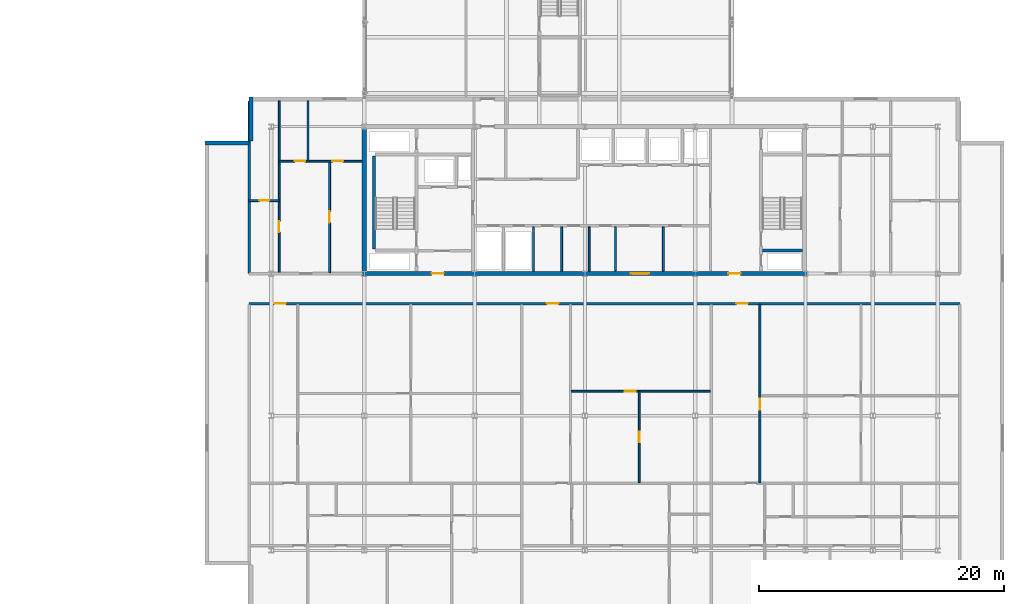
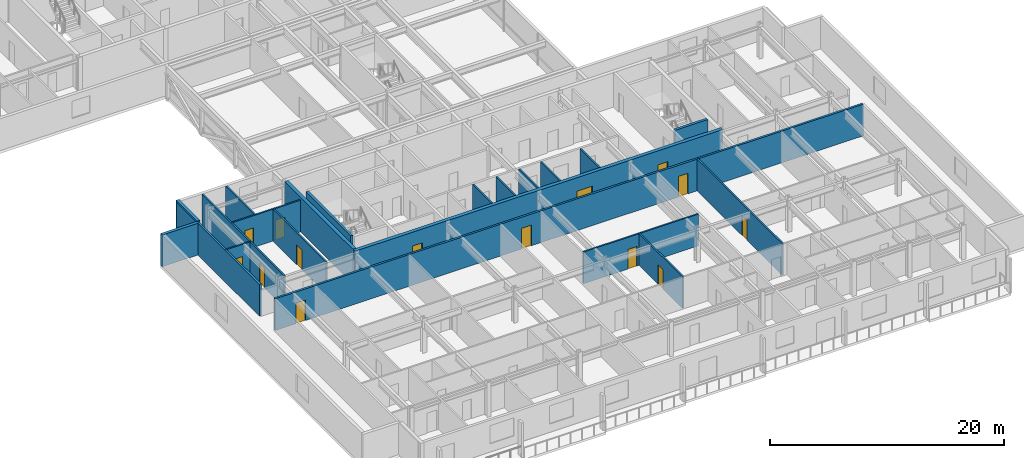
# One storey, part 19 of 36: 21 walls, 14 doors, 14 openings.
"""IFC4 building model written with IfcOpenShell, lengths in metres."""

from ifc_helpers import new_model, si_unit, direction, frame, frame_2d, origin, place, context, subcontext, project, spatial, rectangle, extrude, material, layer, layer_set, type_object, element, fill, save


model = new_model("IFC4")

# Units and contexts
model_context = context("Model", 3, precision=1e-05, world=origin(), true_north=direction((0.0, 1.0)))
body_context = subcontext(model_context, "Body", "Model", "MODEL_VIEW")
ifc_project = project(units=[si_unit("LENGTHUNIT", "METRE"), si_unit("AREAUNIT", "SQUARE_METRE"), si_unit("VOLUMEUNIT", "CUBIC_METRE"), si_unit("PLANEANGLEUNIT", "RADIAN"), si_unit("MASSUNIT", "GRAM", prefix="KILO")], contexts=[model_context])

# Site, building, storey
site_placement = place(None, origin())
site = spatial("IfcSite", under=ifc_project, at=site_placement, CompositionType="ELEMENT")
building_placement = place(site_placement, origin())
building = spatial("IfcBuilding", under=site, at=building_placement, Name="Korimba Cascade Residences", CompositionType="ELEMENT")
storey_placement = place(building_placement, frame((0.0, 0.0, 146.5)))
storey = spatial("IfcBuildingStorey", under=building, at=storey_placement, Name="L42", CompositionType="ELEMENT", Elevation=146.5)

# Walls
ifc_material_1 = material(Name="Precast concrete C40/50", Category="concrete")
ifc_layer_1 = layer(ifc_material_1, 0.300048828125)
ifc_layer_set_1 = layer_set([ifc_layer_1], Name="Precast concrete C40/50")
wall_type_1 = type_object("IfcWallType", Name="EW-STONE-300", PredefinedType="STANDARD", material=ifc_layer_set_1)
wall_1_placement = place(storey_placement, frame((72.85009765625, 32.800048828125, 0.0), z_axis=(0.0, 0.0, 1.0), x_axis=(0.0, -1.0, 0.0)))
element("IfcWall", 1, at=wall_1_placement, inside=storey, type_object=wall_type_1, Name="L42 T2 Perimeter Stone Wall E07", PredefinedType="STANDARD", context=body_context, shape_type="SweptSolid", body=[
    extrude(rectangle(XDim=3.60009765625, YDim=0.300048828125, at=frame_2d((1.800048828125, 0.0))), origin(), (0.0, 0.0, 1.0), 3.31005859375),
])
wall_2_placement = place(storey_placement, frame((72.699951171875, 29.050048828125, 0.0), z_axis=(0.0, 0.0, 1.0), x_axis=(-1.0, 0.0, 0.0)))
element("IfcWall", 2, at=wall_2_placement, inside=storey, type_object=wall_type_1, Name="L42 T2 Perimeter Stone Wall E08", PredefinedType="STANDARD", context=body_context, shape_type="SweptSolid", body=[
    extrude(rectangle(XDim=3.599853515625, YDim=0.300048828125, at=frame_2d((1.7998046875, 0.0))), origin(), (0.0, 0.0, 1.0), 3.31005859375),
])
ifc_material_2 = material(Name="Concrete C65/80", Category="concrete")
ifc_layer_2 = layer(ifc_material_2, 0.35009765625)
ifc_layer_set_2 = layer_set([ifc_layer_2], Name="Concrete C65/80")
wall_type_2 = type_object("IfcWallType", Name="WAL-CORE-350", PredefinedType="SHEAR", material=ifc_layer_set_2)
wall_3_placement = place(storey_placement, frame((82.10009765625, 18.574951171875, 0.0), z_axis=(0.0, 0.0, 1.0), x_axis=(0.0, 1.0, 0.0)))
element("IfcWall", 3, at=wall_3_placement, inside=storey, type_object=wall_type_2, Name="L42 Core Shear Wall CW-L42-T2-W", PredefinedType="SHEAR", context=body_context, shape_type="SweptSolid", body=[
    extrude(rectangle(XDim=11.650146484375, YDim=0.35009765625, at=frame_2d((5.8251953125, 0.0))), origin(), (0.0, 0.0, 1.0), 3.60009765625),
])

# Wall, openings, doors
wall_4_placement = place(storey_placement, frame((81.925048828125, 18.39990234375, 0.0), z_axis=(0.0, 0.0, 1.0), x_axis=(1.0, 0.0, 0.0)))
wall_4 = element("IfcWall", 4, at=wall_4_placement, inside=storey, type_object=wall_type_2, Name="L42 Core Shear Wall CW-L42-T2-S", PredefinedType="SHEAR", context=body_context, shape_type="SweptSolid", body=[
    extrude(rectangle(XDim=36.264892578125, YDim=0.35009765625, at=frame_2d((18.13232421875, 0.0))), origin(), (0.0, 0.0, 1.0), 3.60009765625),
])
opening_1_placement = place(wall_4_placement, frame((5.675048828125, 0.0, 0.0)))
opening_1 = element("IfcOpeningElement", 5, at=opening_1_placement, cuts=wall_4, Name="Opening D-FD5", PredefinedType="OPENING", context=body_context, shape_type="SweptSolid", body=[
    extrude(rectangle(XDim=1.0, YDim=2.14990234375, at=frame_2d((0.5, 1.074951171875))), frame((0.0, 0.18505859375, 0.0), z_axis=(0.0, -1.0, 0.0), x_axis=(1.0, 0.0, 0.0)), (0.0, 0.0, 1.0), 0.3701171875),
])
opening_2_placement = place(wall_4_placement, frame((21.925048828125, 0.0, 0.0)))
opening_2 = element("IfcOpeningElement", 6, at=opening_2_placement, cuts=wall_4, Name="Opening D-FD8", PredefinedType="OPENING", context=body_context, shape_type="SweptSolid", body=[
    extrude(rectangle(XDim=1.5, YDim=2.199951171875, at=frame_2d((0.75, 1.10009765625))), frame((0.0, 0.18505859375, 0.0), z_axis=(0.0, -1.0, 0.0), x_axis=(1.0, 0.0, 0.0)), (0.0, 0.0, 1.0), 0.3701171875),
])
opening_3_placement = place(wall_4_placement, frame((29.875, 0.0, 0.0)))
opening_3 = element("IfcOpeningElement", 7, at=opening_3_placement, cuts=wall_4, Name="Opening D-FD5", PredefinedType="OPENING", context=body_context, shape_type="SweptSolid", body=[
    extrude(rectangle(XDim=1.0, YDim=2.14990234375, at=frame_2d((0.5, 1.074951171875))), frame((0.0, 0.18505859375, 0.0), z_axis=(0.0, -1.0, 0.0), x_axis=(1.0, 0.0, 0.0)), (0.0, 0.0, 1.0), 0.3701171875),
])
ifc_material_3 = material(Name="Fire-Rated Acoustic Timber Vestibule Door", Category="wood")
door_type_1 = type_object("IfcDoorType", Name="DR-FD90-1000", OperationType="NOTDEFINED", PredefinedType="DOOR", material=ifc_material_3)
door_1_placement = place(opening_1_placement, origin())
door_1 = element("IfcDoor", 8, at=door_1_placement, inside=storey, type_object=door_type_1, Name="L42 T2 West Core Vestibule Fire Door", OperationType="SINGLE_SWING_RIGHT", OverallHeight=2.14990234375, OverallWidth=1.0, PredefinedType="DOOR", context=body_context, shape_type="SweptSolid", body=[
    extrude(rectangle(XDim=1.0, YDim=2.14990234375, at=frame_2d((0.5, 1.074951171875))), frame((0.0, 0.02490234375, 0.0), z_axis=(0.0, -1.0, 0.0), x_axis=(1.0, 0.0, 0.0)), (0.0, 0.0, 1.0), 0.050048828125),
])
fill(opening_1, door_1)
door_2_placement = place(opening_3_placement, origin())
door_2 = element("IfcDoor", 9, at=door_2_placement, inside=storey, type_object=door_type_1, Name="L42 T2 East Stair Vestibule Fire Door", OperationType="SINGLE_SWING_LEFT", OverallHeight=2.14990234375, OverallWidth=1.0, PredefinedType="DOOR", context=body_context, shape_type="SweptSolid", body=[
    extrude(rectangle(XDim=1.0, YDim=2.14990234375, at=frame_2d((0.5, 1.074951171875))), frame((0.0, 0.02490234375, 0.0), z_axis=(0.0, -1.0, 0.0), x_axis=(1.0, 0.0, 0.0)), (0.0, 0.0, 1.0), 0.050048828125),
])
fill(opening_3, door_2)
ifc_material_4 = material(Name="Fire-Rated Glazed Lift Lobby Double Door", Category="glass")
door_type_2 = type_object("IfcDoorType", Name="DR-FD90-1500", OperationType="NOTDEFINED", PredefinedType="DOOR", material=ifc_material_4)
door_3_placement = place(opening_2_placement, origin())
door_3 = element("IfcDoor", 10, at=door_3_placement, inside=storey, type_object=door_type_2, Name="L42 T2 Lift Lobby Fire Door", OperationType="DOUBLE_DOOR_SINGLE_SWING", OverallHeight=2.199951171875, OverallWidth=1.5, PredefinedType="DOOR", context=body_context, shape_type="SweptSolid", body=[
    extrude(rectangle(XDim=1.5, YDim=2.199951171875, at=frame_2d((0.75, 1.10009765625))), frame((0.0, 0.02490234375, 0.0), z_axis=(0.0, -1.0, 0.0), x_axis=(1.0, 0.0, 0.0)), (0.0, 0.0, 1.0), 0.050048828125),
])
fill(opening_2, door_3)

# Wall
ifc_layer_3 = layer(ifc_material_1, 0.199951171875)
ifc_layer_set_3 = layer_set([ifc_layer_3], Name="Precast concrete C40/50")
wall_type_3 = type_object("IfcWallType", Name="WAL-IT-200", PredefinedType="PARTITIONING", material=ifc_layer_set_3)
wall_5_placement = place(storey_placement, frame((72.699951171875, 18.39990234375, 0.0), z_axis=(0.0, 0.0, 1.0), x_axis=(0.0, 1.0, 0.0)))
element("IfcWall", 11, at=wall_5_placement, inside=storey, type_object=wall_type_3, Name="L42 Partition Wall WAL-L42-T2-FW-WL", PredefinedType="PARTITIONING", context=body_context, shape_type="SweptSolid", body=[
    extrude(rectangle(XDim=14.10009765625, YDim=0.199951171875, at=frame_2d((7.050048828125, 0.0))), origin(), (0.0, 0.0, 1.0), 3.31005859375),
])

# Wall, openings, doors
wall_6_placement = place(storey_placement, frame((72.699951171875, 15.949951171875, 0.0), z_axis=(0.0, 0.0, 1.0), x_axis=(1.0, 0.0, 0.0)))
wall_6 = element("IfcWall", 12, at=wall_6_placement, inside=storey, type_object=wall_type_3, Name="L42 Partition Wall WAL-L42-T2-CORS", PredefinedType="PARTITIONING", context=body_context, shape_type="SweptSolid", body=[
    extrude(rectangle(XDim=58.0, YDim=0.199951171875, at=frame_2d((29.0, 0.0))), origin(), (0.0, 0.0, 1.0), 3.31005859375),
])
opening_4_placement = place(wall_6_placement, frame((2.044921875, 0.0, 0.0)))
opening_4 = element("IfcOpeningElement", 13, at=opening_4_placement, cuts=wall_6, Name="Opening D-UN1", PredefinedType="OPENING", context=body_context, shape_type="SweptSolid", body=[
    extrude(rectangle(XDim=0.949951171875, YDim=2.14990234375, at=frame_2d((0.47509765625, 1.074951171875))), frame((0.0, 0.10986328125, 0.0), z_axis=(0.0, -1.0, 0.0), x_axis=(1.0, 0.0, 0.0)), (0.0, 0.0, 1.0), 0.219970703125),
])
opening_5_placement = place(wall_6_placement, frame((24.294921875, 0.0, 0.0)))
opening_5 = element("IfcOpeningElement", 14, at=opening_5_placement, cuts=wall_6, Name="Opening D-UN1", PredefinedType="OPENING", context=body_context, shape_type="SweptSolid", body=[
    extrude(rectangle(XDim=0.949951171875, YDim=2.14990234375, at=frame_2d((0.47509765625, 1.074951171875))), frame((0.0, 0.10986328125, 0.0), z_axis=(0.0, -1.0, 0.0), x_axis=(1.0, 0.0, 0.0)), (0.0, 0.0, 1.0), 0.219970703125),
])
opening_6_placement = place(wall_6_placement, frame((39.75341796875, 0.0, 0.0)))
opening_6 = element("IfcOpeningElement", 15, at=opening_6_placement, cuts=wall_6, Name="Opening D-UN1", PredefinedType="OPENING", context=body_context, shape_type="SweptSolid", body=[
    extrude(rectangle(XDim=0.949951171875, YDim=2.14990234375, at=frame_2d((0.47509765625, 1.074951171875))), frame((0.0, 0.10986328125, 0.0), z_axis=(0.0, -1.0, 0.0), x_axis=(1.0, 0.0, 0.0)), (0.0, 0.0, 1.0), 0.219970703125),
])
ifc_material_5 = material(Name="Fire-Rated Hardwood Apartment Entrance Door", Category="wood")
door_type_3 = type_object("IfcDoorType", Name="DR-FD60-950", OperationType="NOTDEFINED", PredefinedType="DOOR", material=ifc_material_5)
door_4_placement = place(opening_4_placement, origin())
door_4 = element("IfcDoor", 16, at=door_4_placement, inside=storey, type_object=door_type_3, Name="Unit L42-T2-U01 Entrance Door", OperationType="SINGLE_SWING_RIGHT", OverallHeight=2.14990234375, OverallWidth=0.949951171875, PredefinedType="DOOR", context=body_context, shape_type="SweptSolid", body=[
    extrude(rectangle(XDim=0.949951171875, YDim=2.14990234375, at=frame_2d((0.47509765625, 1.074951171875))), frame((0.0, 0.02490234375, 0.0), z_axis=(0.0, -1.0, 0.0), x_axis=(1.0, 0.0, 0.0)), (0.0, 0.0, 1.0), 0.050048828125),
])
fill(opening_4, door_4)
door_5_placement = place(opening_5_placement, origin())
door_5 = element("IfcDoor", 17, at=door_5_placement, inside=storey, type_object=door_type_3, Name="Unit L42-T2-U02 Entrance Door", OperationType="SINGLE_SWING_LEFT", OverallHeight=2.14990234375, OverallWidth=0.949951171875, PredefinedType="DOOR", context=body_context, shape_type="SweptSolid", body=[
    extrude(rectangle(XDim=0.949951171875, YDim=2.14990234375, at=frame_2d((0.47509765625, 1.074951171875))), frame((0.0, 0.02490234375, 0.0), z_axis=(0.0, -1.0, 0.0), x_axis=(1.0, 0.0, 0.0)), (0.0, 0.0, 1.0), 0.050048828125),
])
fill(opening_5, door_5)
door_6_placement = place(opening_6_placement, origin())
door_6 = element("IfcDoor", 18, at=door_6_placement, inside=storey, type_object=door_type_3, Name="Unit L42-T2-U03 Entrance Door", OperationType="SINGLE_SWING_RIGHT", OverallHeight=2.14990234375, OverallWidth=0.949951171875, PredefinedType="DOOR", context=body_context, shape_type="SweptSolid", body=[
    extrude(rectangle(XDim=0.949951171875, YDim=2.14990234375, at=frame_2d((0.47509765625, 1.074951171875))), frame((0.0, 0.02490234375, 0.0), z_axis=(0.0, -1.0, 0.0), x_axis=(1.0, 0.0, 0.0)), (0.0, 0.0, 1.0), 0.050048828125),
])
fill(opening_6, door_6)

# Walls
ifc_material_6 = material(Name="Insulated Acoustic Stud Partition", Category="gypsum")
ifc_layer_4 = layer(ifc_material_6, 0.14990234375)
ifc_layer_set_4 = layer_set([ifc_layer_4], Name="Insulated Acoustic Stud Partition")
wall_type_4 = type_object("IfcWallType", Name="WAL-PART-150", PredefinedType="PARTITIONING", material=ifc_layer_set_4)
for number, where, z_axis, x_axis, name in (
    (19, (95.89990234375, 18.60009765625, 0.0), (0.0, 0.0, 1.0), (0.0, 1.0, 0.0), "L42 Partition Wall CW-L42-T2-PRDIV"),
    (20, (98.199951171875, 18.60009765625, 0.0), (0.0, 0.0, 1.0), (0.0, 1.0, 0.0), "L42 Partition Wall CW-L42-T2-CA1W1"),
    (21, (100.449951171875, 18.60009765625, 0.0), (0.0, 0.0, 1.0), (0.0, 1.0, 0.0), "L42 Partition Wall CW-L42-T2-CA1W2"),
    (22, (102.60009765625, 18.60009765625, 0.0), (0.0, 0.0, 1.0), (0.0, 1.0, 0.0), "L42 Partition Wall CW-L42-T2-THW"),
    (23, (106.5, 18.60009765625, 0.0), (0.0, 0.0, 1.0), (0.0, 1.0, 0.0), "L42 Partition Wall CW-L42-T2-THE"),
):
    element("IfcWall", number, at=place(storey_placement, frame(where, z_axis=z_axis, x_axis=x_axis)), inside=storey, type_object=wall_type_4, Name=name, PredefinedType="PARTITIONING", context=body_context, shape_type="SweptSolid", body=[
        extrude(rectangle(XDim=3.599853515625, YDim=0.14990234375, at=frame_2d((1.7998046875, 0.0))), origin(), (0.0, 0.0, 1.0), 3.31005859375),
    ])

# Wall, opening, door
wall_7_placement = place(storey_placement, frame((72.699951171875, 24.35009765625, 0.0), z_axis=(0.0, 0.0, 1.0), x_axis=(1.0, 0.0, 0.0)))
wall_7 = element("IfcWall", 24, at=wall_7_placement, inside=storey, type_object=wall_type_4, Name="L42 Partition Wall WAL-L42-T2-FW-STH", PredefinedType="PARTITIONING", context=body_context, shape_type="SweptSolid", body=[
    extrude(rectangle(XDim=2.449951171875, YDim=0.14990234375, at=frame_2d((1.22509765625, 0.0))), origin(), (0.0, 0.0, 1.0), 3.31005859375),
])
opening_7_placement = place(wall_7_placement, frame((0.804931640625, 0.0, 0.0)))
opening_7 = element("IfcOpeningElement", 25, at=opening_7_placement, cuts=wall_7, Name="Opening D-BT1", PredefinedType="OPENING", context=body_context, shape_type="SweptSolid", body=[
    extrude(rectangle(XDim=0.840087890625, YDim=2.0400390625, at=frame_2d((0.419921875, 1.02001953125))), frame((0.0, 0.0849609375, 0.0), z_axis=(0.0, -1.0, 0.0), x_axis=(1.0, 0.0, 0.0)), (0.0, 0.0, 1.0), 0.169921875),
])
ifc_material_7 = material(Name="Moisture-Resistant Bathroom Timber Door", Category="wood")
door_type_4 = type_object("IfcDoorType", Name="DR-INT-850", OperationType="NOTDEFINED", PredefinedType="DOOR", material=ifc_material_7)
door_7_placement = place(opening_7_placement, origin())
door_7 = element("IfcDoor", 26, at=door_7_placement, inside=storey, type_object=door_type_4, Name="L42-T2-FW Dressing Store Door", OperationType="SINGLE_SWING_LEFT", OverallHeight=2.0400390625, OverallWidth=0.840087890625, PredefinedType="DOOR", context=body_context, shape_type="SweptSolid", body=[
    extrude(rectangle(XDim=0.840087890625, YDim=2.0400390625, at=frame_2d((0.419921875, 1.02001953125))), frame((0.0, 0.02490234375, 0.0), z_axis=(0.0, -1.0, 0.0), x_axis=(1.0, 0.0, 0.0)), (0.0, 0.0, 1.0), 0.050048828125),
])
fill(opening_7, door_7)

wall_8_placement = place(storey_placement, frame((75.14990234375, 18.449951171875, 0.0), z_axis=(0.0, 0.0, 1.0), x_axis=(0.0, 1.0, 0.0)))
wall_8 = element("IfcWall", 27, at=wall_8_placement, inside=storey, type_object=wall_type_4, Name="L42 Partition Wall WAL-L42-T2-FW-STV", PredefinedType="PARTITIONING", context=body_context, shape_type="SweptSolid", body=[
    extrude(rectangle(XDim=14.050048828125, YDim=0.14990234375, at=frame_2d((7.02490234375, 0.0))), origin(), (0.0, 0.0, 1.0), 3.31005859375),
])
opening_8_placement = place(wall_8_placement, frame((3.320068359375, 0.0, 0.0)))
opening_8 = element("IfcOpeningElement", 28, at=opening_8_placement, cuts=wall_8, Name="Opening D-IN2", PredefinedType="OPENING", context=body_context, shape_type="SweptSolid", body=[
    extrude(rectangle(XDim=0.8798828125, YDim=2.06005859375, at=frame_2d((0.43994140625, 1.030029296875))), frame((0.0, 0.0849609375, 0.0), z_axis=(0.0, -1.0, 0.0), x_axis=(1.0, 0.0, 0.0)), (0.0, 0.0, 1.0), 0.169921875),
])
ifc_material_8 = material(Name="Acoustic Timber Bedroom Door", Category="wood")
door_type_5 = type_object("IfcDoorType", Name="DR-INT-880", OperationType="NOTDEFINED", PredefinedType="DOOR", material=ifc_material_8)
door_8_placement = place(opening_8_placement, origin())
door_8 = element("IfcDoor", 29, at=door_8_placement, inside=storey, type_object=door_type_5, Name="L42-T2-FW Study Door", OperationType="SINGLE_SWING_RIGHT", OverallHeight=2.06005859375, OverallWidth=0.8798828125, PredefinedType="DOOR", context=body_context, shape_type="SweptSolid", body=[
    extrude(rectangle(XDim=0.8798828125, YDim=2.06005859375, at=frame_2d((0.43994140625, 1.030029296875))), frame((0.0, 0.02490234375, 0.0), z_axis=(0.0, -1.0, 0.0), x_axis=(1.0, 0.0, 0.0)), (0.0, 0.0, 1.0), 0.050048828125),
])
fill(opening_8, door_8)

wall_9_placement = place(storey_placement, frame((79.27001953125, 18.449951171875, 0.0), z_axis=(0.0, 0.0, 1.0), x_axis=(0.0, 1.0, 0.0)))
wall_9 = element("IfcWall", 30, at=wall_9_placement, inside=storey, type_object=wall_type_4, Name="L42 Partition Wall WAL-L42-T2-FW-VS", PredefinedType="PARTITIONING", context=body_context, shape_type="SweptSolid", body=[
    extrude(rectangle(XDim=9.1201171875, YDim=0.14990234375, at=frame_2d((4.56005859375, 0.0))), origin(), (0.0, 0.0, 1.0), 3.31005859375),
])
opening_9_placement = place(wall_9_placement, frame((4.10009765625, 0.0, 0.0)))
opening_9 = element("IfcOpeningElement", 31, at=opening_9_placement, cuts=wall_9, Name="Opening D-IN1", PredefinedType="OPENING", context=body_context, shape_type="SweptSolid", body=[
    extrude(rectangle(XDim=0.919921875, YDim=2.080078125, at=frame_2d((0.4599609375, 1.0400390625))), frame((0.0, 0.0849609375, 0.0), z_axis=(0.0, -1.0, 0.0), x_axis=(1.0, 0.0, 0.0)), (0.0, 0.0, 1.0), 0.169921875),
])
ifc_material_9 = material(Name="Acoustic Timber Living Door", Category="wood")
door_type_6 = type_object("IfcDoorType", Name="DR-INT-920", OperationType="NOTDEFINED", PredefinedType="DOOR", material=ifc_material_9)
door_9_placement = place(opening_9_placement, origin())
door_9 = element("IfcDoor", 32, at=door_9_placement, inside=storey, type_object=door_type_6, Name="L42-T2-FW Living Door", OperationType="SINGLE_SWING_LEFT", OverallHeight=2.080078125, OverallWidth=0.919921875, PredefinedType="DOOR", context=body_context, shape_type="SweptSolid", body=[
    extrude(rectangle(XDim=0.919921875, YDim=2.080078125, at=frame_2d((0.4599609375, 1.0400390625))), frame((0.0, 0.02490234375, 0.0), z_axis=(0.0, -1.0, 0.0), x_axis=(1.0, 0.0, 0.0)), (0.0, 0.0, 1.0), 0.050048828125),
])
fill(opening_9, door_9)

# Wall
wall_10_placement = place(storey_placement, frame((77.5, 27.570068359375, 0.0), z_axis=(0.0, 0.0, 1.0), x_axis=(0.0, 1.0, 0.0)))
element("IfcWall", 33, at=wall_10_placement, inside=storey, type_object=wall_type_4, Name="L42 Partition Wall WAL-L42-T2-FW-VN", PredefinedType="PARTITIONING", context=body_context, shape_type="SweptSolid", body=[
    extrude(rectangle(XDim=4.929931640625, YDim=0.14990234375, at=frame_2d((2.46484375, 0.0))), origin(), (0.0, 0.0, 1.0), 3.31005859375),
])

# Wall, openings, doors
wall_11_placement = place(storey_placement, frame((75.169921875, 27.570068359375, 0.0), z_axis=(0.0, 0.0, 1.0), x_axis=(1.0, 0.0, 0.0)))
wall_11 = element("IfcWall", 34, at=wall_11_placement, inside=storey, type_object=wall_type_4, Name="L42 Partition Wall WAL-L42-T2-FW-H", PredefinedType="PARTITIONING", context=body_context, shape_type="SweptSolid", body=[
    extrude(rectangle(XDim=6.760009765625, YDim=0.14990234375, at=frame_2d((3.3798828125, 0.0))), origin(), (0.0, 0.0, 1.0), 3.31005859375),
])
opening_10_placement = place(wall_11_placement, frame((1.266357421875, 0.0, 0.0)))
opening_10 = element("IfcOpeningElement", 35, at=opening_10_placement, cuts=wall_11, Name="Opening D-BT1", PredefinedType="OPENING", context=body_context, shape_type="SweptSolid", body=[
    extrude(rectangle(XDim=0.840087890625, YDim=2.0400390625, at=frame_2d((0.419921875, 1.02001953125))), frame((0.0, 0.0849609375, 0.0), z_axis=(0.0, -1.0, 0.0), x_axis=(1.0, 0.0, 0.0)), (0.0, 0.0, 1.0), 0.169921875),
])
opening_11_placement = place(wall_11_placement, frame((4.320068359375, 0.0, 0.0)))
opening_11 = element("IfcOpeningElement", 36, at=opening_11_placement, cuts=wall_11, Name="Opening D-IN2", PredefinedType="OPENING", context=body_context, shape_type="SweptSolid", body=[
    extrude(rectangle(XDim=0.8798828125, YDim=2.06005859375, at=frame_2d((0.43994140625, 1.030029296875))), frame((0.0, 0.0849609375, 0.0), z_axis=(0.0, -1.0, 0.0), x_axis=(1.0, 0.0, 0.0)), (0.0, 0.0, 1.0), 0.169921875),
])
door_10_placement = place(opening_10_placement, origin())
door_10 = element("IfcDoor", 37, at=door_10_placement, inside=storey, type_object=door_type_4, Name="L42-T2-FW Bathroom Door", OperationType="SINGLE_SWING_RIGHT", OverallHeight=2.0400390625, OverallWidth=0.840087890625, PredefinedType="DOOR", context=body_context, shape_type="SweptSolid", body=[
    extrude(rectangle(XDim=0.840087890625, YDim=2.0400390625, at=frame_2d((0.419921875, 1.02001953125))), frame((0.0, 0.02490234375, 0.0), z_axis=(0.0, -1.0, 0.0), x_axis=(1.0, 0.0, 0.0)), (0.0, 0.0, 1.0), 0.050048828125),
])
fill(opening_10, door_10)
door_11_placement = place(opening_11_placement, origin())
door_11 = element("IfcDoor", 38, at=door_11_placement, inside=storey, type_object=door_type_5, Name="L42-T2-FW Bedroom Door", OperationType="SINGLE_SWING_LEFT", OverallHeight=2.06005859375, OverallWidth=0.8798828125, PredefinedType="DOOR", context=body_context, shape_type="SweptSolid", body=[
    extrude(rectangle(XDim=0.8798828125, YDim=2.06005859375, at=frame_2d((0.43994140625, 1.030029296875))), frame((0.0, 0.02490234375, 0.0), z_axis=(0.0, -1.0, 0.0), x_axis=(1.0, 0.0, 0.0)), (0.0, 0.0, 1.0), 0.050048828125),
])
fill(opening_11, door_11)

# Wall, opening, door
wall_12_placement = place(storey_placement, frame((104.5341796875, 1.340087890625, 0.0), z_axis=(0.0, 0.0, 1.0), x_axis=(0.0, 1.0, 0.0)))
wall_12 = element("IfcWall", 39, at=wall_12_placement, inside=storey, type_object=wall_type_4, Name="L42 Partition Wall WAL-L42-T2-U02-FMV", PredefinedType="PARTITIONING", context=body_context, shape_type="SweptSolid", body=[
    extrude(rectangle(XDim=7.454833984375, YDim=0.14990234375, at=frame_2d((3.7275390625, 0.0))), origin(), (0.0, 0.0, 1.0), 3.31005859375),
])
opening_12_placement = place(wall_12_placement, frame((3.3076171875, 0.0, 0.0)))
opening_12 = element("IfcOpeningElement", 40, at=opening_12_placement, cuts=wall_12, Name="Opening D-BT1", PredefinedType="OPENING", context=body_context, shape_type="SweptSolid", body=[
    extrude(rectangle(XDim=0.840087890625, YDim=2.0400390625, at=frame_2d((0.419921875, 1.02001953125))), frame((0.0, 0.0849609375, 0.0), z_axis=(0.0, -1.0, 0.0), x_axis=(1.0, 0.0, 0.0)), (0.0, 0.0, 1.0), 0.169921875),
])
door_12_placement = place(opening_12_placement, origin())
door_12 = element("IfcDoor", 41, at=door_12_placement, inside=storey, type_object=door_type_4, Name="L42-T2-U02 Wardrobe Door", OperationType="SINGLE_SWING_RIGHT", OverallHeight=2.0400390625, OverallWidth=0.840087890625, PredefinedType="DOOR", context=body_context, shape_type="SweptSolid", body=[
    extrude(rectangle(XDim=0.840087890625, YDim=2.0400390625, at=frame_2d((0.419921875, 1.02001953125))), frame((0.0, 0.02490234375, 0.0), z_axis=(0.0, -1.0, 0.0), x_axis=(1.0, 0.0, 0.0)), (0.0, 0.0, 1.0), 0.050048828125),
])
fill(opening_12, door_12)

wall_13_placement = place(storey_placement, frame((98.97998046875, 8.794921875, 0.0), z_axis=(0.0, 0.0, 1.0), x_axis=(1.0, 0.0, 0.0)))
wall_13 = element("IfcWall", 42, at=wall_13_placement, inside=storey, type_object=wall_type_4, Name="L42 Partition Wall WAL-L42-T2-U02-FMH", PredefinedType="PARTITIONING", context=body_context, shape_type="SweptSolid", body=[
    extrude(rectangle(XDim=11.348388671875, YDim=0.14990234375, at=frame_2d((5.67431640625, 0.0))), origin(), (0.0, 0.0, 1.0), 3.31005859375),
])
opening_13_placement = place(wall_13_placement, frame((4.3720703125, 0.0, 0.0)))
opening_13 = element("IfcOpeningElement", 43, at=opening_13_placement, cuts=wall_13, Name="Opening D-IN2", PredefinedType="OPENING", context=body_context, shape_type="SweptSolid", body=[
    extrude(rectangle(XDim=0.8798828125, YDim=2.06005859375, at=frame_2d((0.43994140625, 1.030029296875))), frame((0.0, 0.0849609375, 0.0), z_axis=(0.0, -1.0, 0.0), x_axis=(1.0, 0.0, 0.0)), (0.0, 0.0, 1.0), 0.169921875),
])
door_13_placement = place(opening_13_placement, origin())
door_13 = element("IfcDoor", 44, at=door_13_placement, inside=storey, type_object=door_type_5, Name="L42-T2-U02 Library Salon Door", OperationType="SINGLE_SWING_LEFT", OverallHeight=2.06005859375, OverallWidth=0.8798828125, PredefinedType="DOOR", context=body_context, shape_type="SweptSolid", body=[
    extrude(rectangle(XDim=0.8798828125, YDim=2.06005859375, at=frame_2d((0.43994140625, 1.030029296875))), frame((0.0, 0.02490234375, 0.0), z_axis=(0.0, -1.0, 0.0), x_axis=(1.0, 0.0, 0.0)), (0.0, 0.0, 1.0), 0.050048828125),
])
fill(opening_13, door_13)

wall_14_placement = place(storey_placement, frame((114.37841796875, 1.340087890625, 0.0), z_axis=(0.0, 0.0, 1.0), x_axis=(0.0, 1.0, 0.0)))
wall_14 = element("IfcWall", 45, at=wall_14_placement, inside=storey, type_object=wall_type_4, Name="L42 Partition Wall WAL-L42-T2-U03-FV", PredefinedType="PARTITIONING", context=body_context, shape_type="SweptSolid", body=[
    extrude(rectangle(XDim=14.5498046875, YDim=0.14990234375, at=frame_2d((7.27490234375, 0.0))), origin(), (0.0, 0.0, 1.0), 3.31005859375),
])
opening_14_placement = place(wall_14_placement, frame((5.965087890625, 0.0, 0.0)))
opening_14 = element("IfcOpeningElement", 46, at=opening_14_placement, cuts=wall_14, Name="Opening D-IN2", PredefinedType="OPENING", context=body_context, shape_type="SweptSolid", body=[
    extrude(rectangle(XDim=0.8798828125, YDim=2.06005859375, at=frame_2d((0.43994140625, 1.030029296875))), frame((0.0, 0.0849609375, 0.0), z_axis=(0.0, -1.0, 0.0), x_axis=(1.0, 0.0, 0.0)), (0.0, 0.0, 1.0), 0.169921875),
])
door_14_placement = place(opening_14_placement, origin())
door_14 = element("IfcDoor", 47, at=door_14_placement, inside=storey, type_object=door_type_5, Name="L42-T2-U03 Media Lounge Door", OperationType="SINGLE_SWING_RIGHT", OverallHeight=2.06005859375, OverallWidth=0.8798828125, PredefinedType="DOOR", context=body_context, shape_type="SweptSolid", body=[
    extrude(rectangle(XDim=0.8798828125, YDim=2.06005859375, at=frame_2d((0.43994140625, 1.030029296875))), frame((0.0, 0.02490234375, 0.0), z_axis=(0.0, -1.0, 0.0), x_axis=(1.0, 0.0, 0.0)), (0.0, 0.0, 1.0), 0.050048828125),
])
fill(opening_14, door_14)

# Walls
ifc_material_10 = material(Name="Concrete C50/60", Category="concrete")
ifc_layer_5 = layer(ifc_material_10, 0.25)
ifc_layer_set_5 = layer_set([ifc_layer_5], Name="Concrete C50/60")
wall_type_5 = type_object("IfcWallType", Name="WAL-SHAFT-250", PredefinedType="SHEAR", material=ifc_layer_set_5)
wall_15_placement = place(storey_placement, frame((82.875, 20.39990234375, 0.0), z_axis=(0.0, 0.0, 1.0), x_axis=(0.0, 1.0, 0.0)))
element("IfcWall", 48, at=wall_15_placement, inside=storey, type_object=wall_type_5, Name="L42 Core Shear Wall CW-L42-T2-STE1W", PredefinedType="SHEAR", context=body_context, shape_type="SweptSolid", body=[
    extrude(rectangle(XDim=7.60009765625, YDim=0.25, at=frame_2d((3.800048828125, 0.0))), origin(), (0.0, 0.0, 1.0), 3.60009765625),
])
wall_16_placement = place(storey_placement, frame((114.60009765625, 20.27490234375, 0.0), z_axis=(0.0, 0.0, 1.0), x_axis=(1.0, 0.0, 0.0)))
element("IfcWall", 49, at=wall_16_placement, inside=storey, type_object=wall_type_5, Name="L42 Core Shear Wall CW-L42-T2-STE2S", PredefinedType="SHEAR", context=body_context, shape_type="SweptSolid", body=[
    extrude(rectangle(XDim=3.239990234375, YDim=0.25, at=frame_2d((1.6201171875, 0.0))), origin(), (0.0, 0.0, 1.0), 3.60009765625),
])

save(model, "model.ifc")
